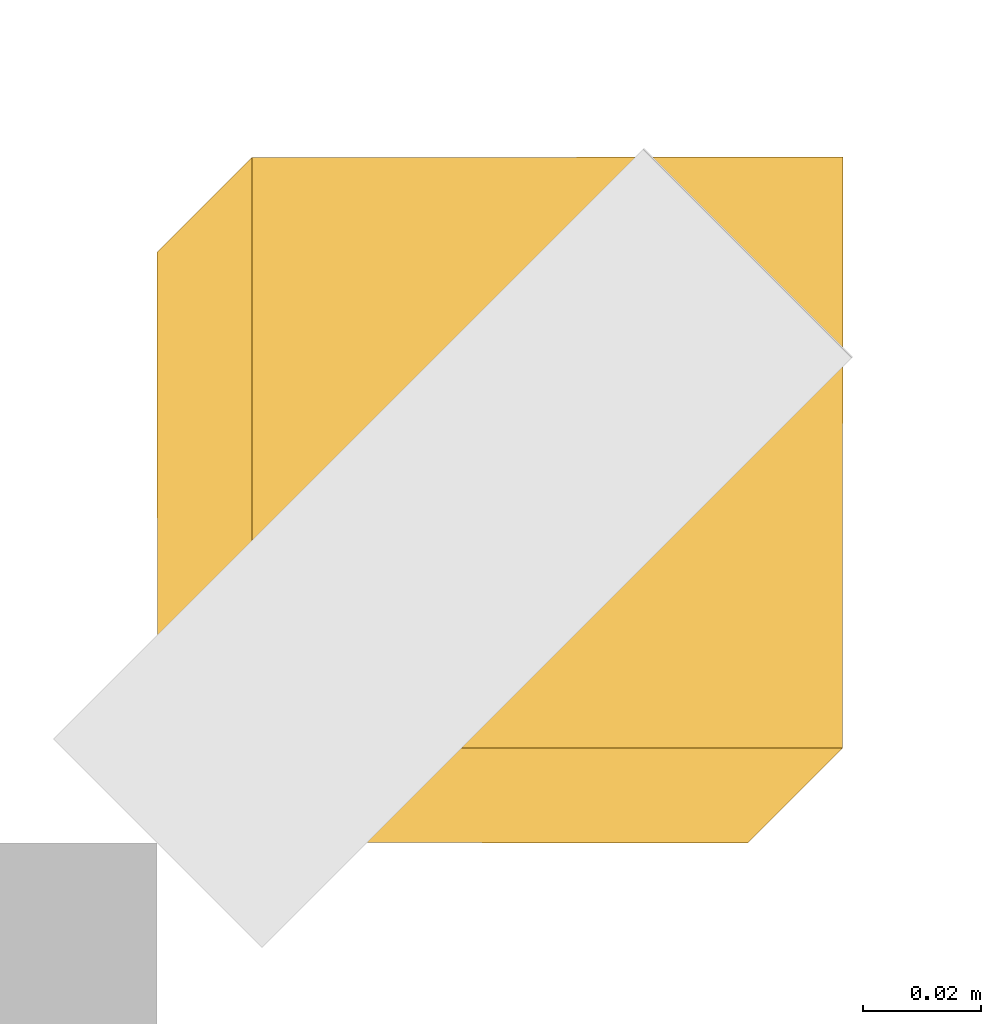
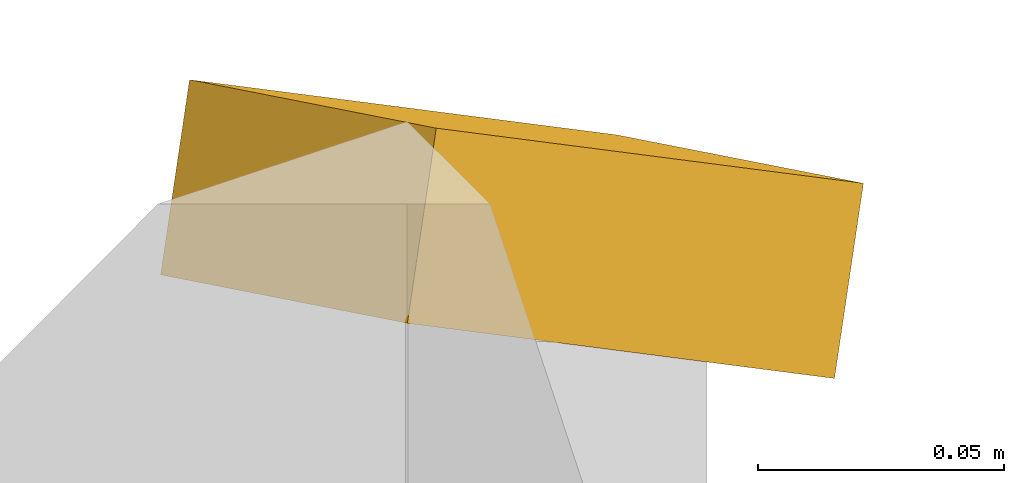
# One storey, part 24 of 24: 1 shading device.
"""IFC4 building model written with IfcOpenShell, lengths in metres."""

import ifcopenshell
import ifcopenshell.guid

model = None  # the IFC model being written
_history = None  # IfcOwnerHistory: only IFC2X3 demands one
_inside = {}  # id of a spatial element -> (the spatial element, [elements in it])
_under = {}  # id of a project, library or spatial element -> (it, [spatial elements below it])
_declared = {}  # id of a project -> (the project, [libraries it declares])
_typed = {}  # id of a type object -> (the type object, [elements of that type])
_made_of = {}  # id of a material, layer set ... -> (it, [elements and type objects made of it])


def new_model(schema):
    """Start an empty IFC model of exactly this schema.

    Asked for "IFC4X3", IfcOpenShell would pick the latest addendum, in which some entities
    have other attributes; the version numbers below select the first issue.
    IFC2X3 requires an IfcOwnerHistory on every rooted entity: one is made here for all.
    """
    global model, _history
    if schema == "IFC4X3":
        model = ifcopenshell.file(schema_version=(4, 3, 0, 0))
    else:
        model = ifcopenshell.file(schema=schema)
    _inside.clear()
    _under.clear()
    _declared.clear()
    _typed.clear()
    _made_of.clear()
    _history = None
    if model.schema == "IFC2X3":
        org = make("IfcOrganization", Name="unknown")
        user = make(
            "IfcPersonAndOrganization",
            ThePerson=make("IfcPerson", FamilyName="unknown"),
            TheOrganization=org,
        )
        app = make(
            "IfcApplication",
            ApplicationDeveloper=org,
            Version="unknown",
            ApplicationFullName="unknown",
            ApplicationIdentifier="unknown",
        )
        _history = make(
            "IfcOwnerHistory",
            OwningUser=user,
            OwningApplication=app,
            ChangeAction="ADDED",
            CreationDate=0,
        )
    return model


def make(cls, **values):
    """One entity of the class cls with the attributes given. An attribute that is None is left unset."""
    return model.create_entity(
        cls, **{name: value for name, value in values.items() if value is not None}
    )


def rooted(cls, **values):
    """An entity with a GlobalId (a new one), such as an element, a storey or a relation."""
    return make(cls, GlobalId=ifcopenshell.guid.new(), OwnerHistory=_history, **values)


def si_unit(unit_type, name, prefix=None):
    """IfcSIUnit, for example si_unit("LENGTHUNIT", "METRE", prefix="MILLI")."""
    return make("IfcSIUnit", UnitType=unit_type, Prefix=prefix, Name=name)


def assignment(units):
    """IfcUnitAssignment: the units of a project."""
    return None if units is None else make("IfcUnitAssignment", Units=units)


def point(xyz):
    """IfcCartesianPoint."""
    return None if xyz is None else make("IfcCartesianPoint", Coordinates=xyz)


def direction(xyz):
    """IfcDirection."""
    return None if xyz is None else make("IfcDirection", DirectionRatios=xyz)


def frame(location, z_axis=None, x_axis=None):
    """IfcAxis2Placement3D, a coordinate frame: its origin and axes. An axis left out is left unset."""
    return make(
        "IfcAxis2Placement3D",
        Location=point(location),
        Axis=direction(z_axis),
        RefDirection=direction(x_axis),
    )


def origin():
    """The frame at (0, 0, 0) with its axes left unset."""
    return frame((0.0, 0.0, 0.0))


def place(relative_to, where):
    """IfcLocalPlacement: puts the frame where relative to a parent placement (None: the world)."""
    return make(
        "IfcLocalPlacement", PlacementRelTo=relative_to, RelativePlacement=where
    )


def context(
    kind, dimensions, precision=None, world=None, true_north=None, identifier=None
):
    """IfcGeometricRepresentationContext, for example the 3D "Model" context."""
    return make(
        "IfcGeometricRepresentationContext",
        ContextIdentifier=identifier,
        ContextType=kind,
        CoordinateSpaceDimension=dimensions,
        Precision=precision,
        WorldCoordinateSystem=world,
        TrueNorth=true_north,
    )


def subcontext(parent, identifier, kind, view, scale=None):
    """IfcGeometricRepresentationSubContext, for example "Body" below "Model"."""
    return make(
        "IfcGeometricRepresentationSubContext",
        ContextIdentifier=identifier,
        ContextType=kind,
        ParentContext=parent,
        TargetScale=scale,
        TargetView=view,
    )


def project(units=None, contexts=None):
    """IfcProject with its units and contexts."""
    return rooted(
        "IfcProject",
        Name="project",
        RepresentationContexts=contexts,
        UnitsInContext=assignment(units),
    )


def spatial(cls, under=None, at=None, **own):
    """A site, building, storey or space (cls), placed at a placement, below another one or the project."""
    s = rooted(cls, ObjectPlacement=at, **own)
    if under is not None:
        _under.setdefault(under.id(), (under, []))[1].append(s)
    return s


def polyline(points):
    """IfcPolyline through the points."""
    return make("IfcPolyline", Points=[point(p) for p in points])


def outline(outer, holes=None, kind="AREA"):
    """IfcArbitraryClosedProfileDef: a profile drawn as a closed curve; with holes, ...WithVoids."""
    if holes is None:
        return make("IfcArbitraryClosedProfileDef", ProfileType=kind, OuterCurve=outer)
    return make(
        "IfcArbitraryProfileDefWithVoids",
        ProfileType=kind,
        OuterCurve=outer,
        InnerCurves=holes,
    )


def extrude(swept, where, along, depth):
    """IfcExtrudedAreaSolid: the profile swept, set in the frame where, extruded along a direction by depth."""
    return make(
        "IfcExtrudedAreaSolid",
        SweptArea=swept,
        Position=where,
        ExtrudedDirection=direction(along),
        Depth=depth,
    )


def shape(context_of_items, identifier, shape_type, items):
    """IfcShapeRepresentation: the items that make up one representation, for example the "Body"."""
    return make(
        "IfcShapeRepresentation",
        ContextOfItems=context_of_items,
        RepresentationIdentifier=identifier,
        RepresentationType=shape_type,
        Items=items,
    )


def material(Name=None, Category=None):
    """IfcMaterial."""
    return make("IfcMaterial", Name=Name, Category=Category)


def layer(
    of_material, thickness, ventilated=None, Name=None, Category=None, Priority=None
):
    """IfcMaterialLayer: one layer of a wall or slab, of a material (None: an air gap)."""
    return make(
        "IfcMaterialLayer",
        Material=of_material,
        LayerThickness=thickness,
        IsVentilated=ventilated,
        Name=Name,
        Category=Category,
        Priority=Priority,
    )


def layer_set(layers, Name=None):
    """IfcMaterialLayerSet."""
    return make("IfcMaterialLayerSet", MaterialLayers=layers, LayerSetName=Name)


def made_of(thing, what):
    """Note that an element or type object is made of a material, layer set ...; save() writes the relation."""
    if what is not None:
        _made_of.setdefault(what.id(), (what, []))[1].append(thing)
    return thing


def type_object(cls, material=None, **own):
    """A type object (cls), such as IfcWallType, which elements share."""
    return made_of(rooted(cls, **own), material)


def element(
    cls,
    number,
    at=None,
    inside=None,
    cuts=None,
    type_object=None,
    material=None,
    context=None,
    identifier="Body",
    shape_type=None,
    held_by="IfcProductDefinitionShape",
    body=None,
    shapes=None,
    **own,
):
    """One element of the class cls, such as IfcWall. Its Tag is "e" and its number.

    at: its placement. inside: the storey or other place that contains it. cuts: it is an
    opening in that element (IfcRelVoidsElement). A single representation is given by context,
    identifier, shape_type and body (its items); several are given by shapes. held_by: the class
    of the entity that holds the representations. save() writes the other relations.
    """
    e = rooted(cls, Tag="e%d" % number, ObjectPlacement=at, **own)
    if body is not None:
        shapes = [shape(context, identifier, shape_type, body)]
    if shapes is not None:
        e.Representation = make(held_by, Representations=shapes)
    if inside is not None:
        _inside.setdefault(inside.id(), (inside, []))[1].append(e)
    if cuts is not None:
        rooted(
            "IfcRelVoidsElement", RelatingBuildingElement=cuts, RelatedOpeningElement=e
        )
    if type_object is not None:
        _typed.setdefault(type_object.id(), (type_object, []))[1].append(e)
    return made_of(e, material)


def aggregate(whole, parts):
    """IfcRelAggregates: a whole, such as a stair, and the parts it consists of."""
    return rooted("IfcRelAggregates", RelatingObject=whole, RelatedObjects=parts)


def save(model, path):
    """Write the relations noted so far, then the file.

    IfcRelAggregates (storeys below a building ...), IfcRelContainedInSpatialStructure (elements
    in a storey), IfcRelDefinesByType, IfcRelAssociatesMaterial and IfcRelDeclares: one each for
    every whole, place, type object, material and project.
    """
    for whole, parts in _under.values():
        aggregate(whole, parts)
    for where, things in _inside.values():
        rooted(
            "IfcRelContainedInSpatialStructure",
            RelatedElements=things,
            RelatingStructure=where,
        )
    for kind, things in _typed.values():
        rooted("IfcRelDefinesByType", RelatedObjects=things, RelatingType=kind)
    for what, things in _made_of.values():
        rooted("IfcRelAssociatesMaterial", RelatedObjects=things, RelatingMaterial=what)
    for by, libraries in _declared.values():
        rooted("IfcRelDeclares", RelatingContext=by, RelatedDefinitions=libraries)
    model.write(path)


model = new_model("IFC4")

# Units and contexts
model_context = context("Model", 3, precision=1e-05, world=origin(), true_north=direction((0.0, 1.0)))
body_context = subcontext(model_context, "Body", "Model", "MODEL_VIEW")
ifc_project = project(units=[si_unit("LENGTHUNIT", "METRE"), si_unit("AREAUNIT", "SQUARE_METRE"), si_unit("VOLUMEUNIT", "CUBIC_METRE"), si_unit("PLANEANGLEUNIT", "RADIAN"), si_unit("MASSUNIT", "GRAM", prefix="KILO")], contexts=[model_context])

# Site, building, storey
site_placement = place(None, origin())
site = spatial("IfcSite", under=ifc_project, at=site_placement, CompositionType="ELEMENT")
building_placement = place(site_placement, origin())
building = spatial("IfcBuilding", under=site, at=building_placement, Name="Ussher Court Research Institute", CompositionType="ELEMENT")
storey_placement = place(building_placement, frame((0.0, 0.0, 32.39990234375)))
storey = spatial("IfcBuildingStorey", under=building, at=storey_placement, Name="L07", CompositionType="ELEMENT", Elevation=32.39990234375)

# Shading device
ifc_material = material(Name="Bronze anodised aluminium", Category="aluminium")
ifc_layer = layer(ifc_material, 0.0400390625)
ifc_layer_set = layer_set([ifc_layer], Name="Bronze anodised aluminium")
shading_device_type = type_object("IfcShadingDeviceType", Name="Brim visor sheet 40 mm canted 26 deg wet", PredefinedType="USERDEFINED", material=ifc_layer_set)
shading_device_placement = place(storey_placement, frame((104.216064453125, 33.216064453125, 4.48291015625), z_axis=(0.400847757571, 0.400847757571, 0.823797396512), x_axis=(0.899269394429, -0.000362285341, -0.437395044544)))
element("IfcShadingDevice", 1, at=shading_device_placement, inside=storey, type_object=shading_device_type, Name="Brim visor sheet BR1 L07", ObjectType="BRIM", PredefinedType="USERDEFINED", context=body_context, shape_type="SweptSolid", body=[
    extrude(outline(polyline([(0.0, 0.0), (0.11126515272958254, 0.0), (0.13258606872546647, 0.10931209908468126), (0.021214130096336967, 0.10922405822982874), (0.0, 0.0)])), origin(), (0.0, 0.0, -1.0), 0.0400390625),
])

save(model, "model.ifc")
